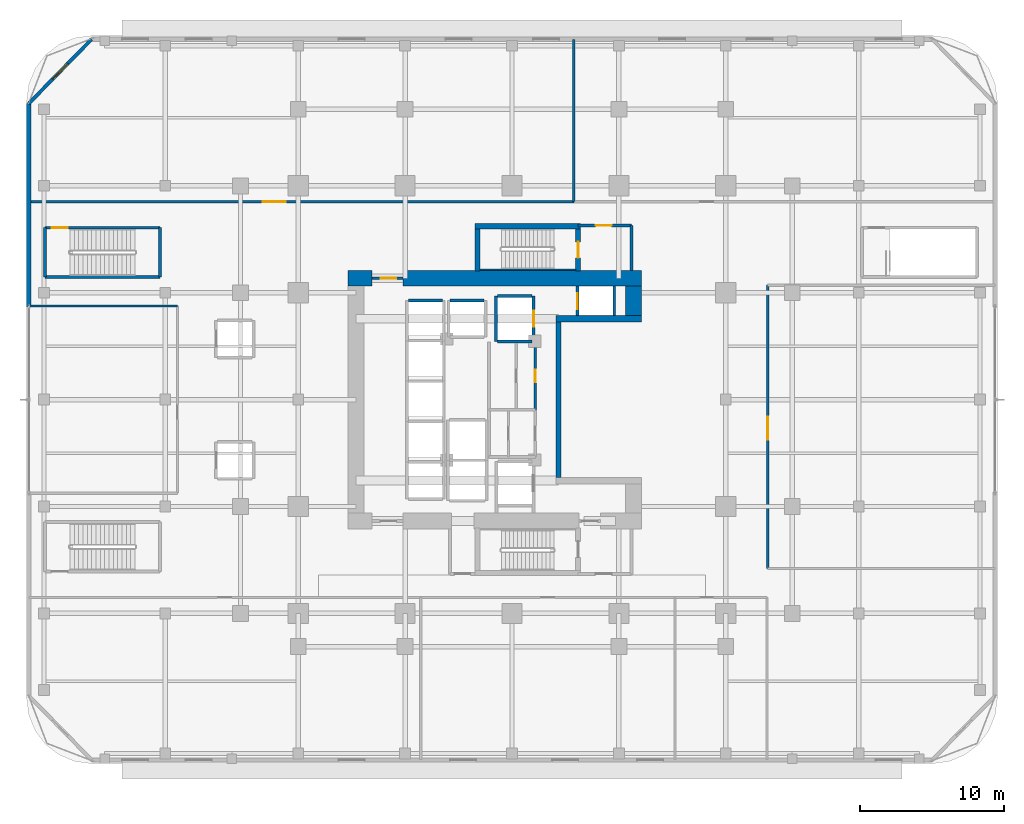
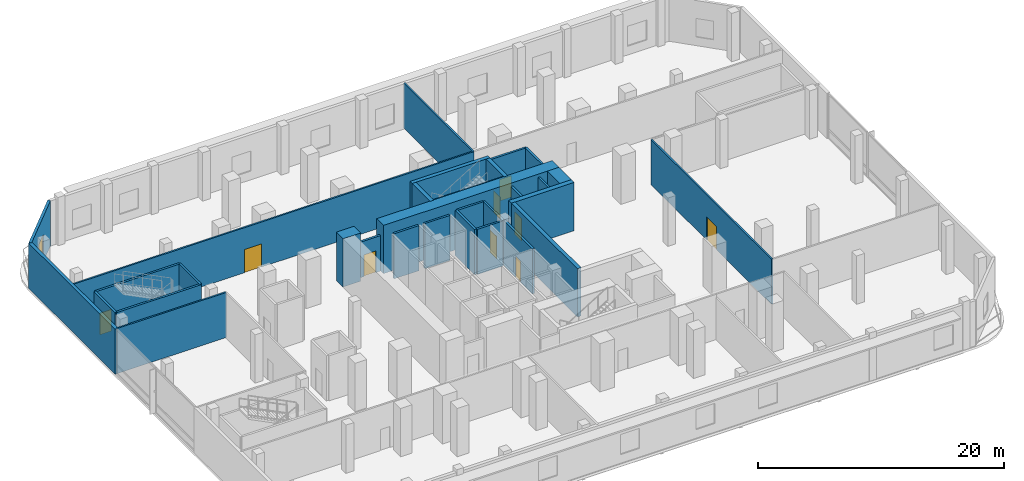
# One storey, part 10 of 19: 31 walls, 9 doors, 1 window, 10 openings.
"""IFC4 building model written with IfcOpenShell, lengths in metres."""

from ifc_helpers import new_model, si_unit, direction, frame, frame_2d, origin, place, context, subcontext, project, spatial, rectangle, extrude, material, layer, layer_set, type_object, element, fill, save


model = new_model("IFC4")

# Units and contexts
model_context = context("Model", 3, precision=1e-05, world=origin(), true_north=direction((0.0, 1.0)))
body_context = subcontext(model_context, "Body", "Model", "MODEL_VIEW")
ifc_project = project(units=[si_unit("LENGTHUNIT", "METRE"), si_unit("AREAUNIT", "SQUARE_METRE"), si_unit("VOLUMEUNIT", "CUBIC_METRE"), si_unit("PLANEANGLEUNIT", "RADIAN"), si_unit("MASSUNIT", "GRAM", prefix="KILO")], contexts=[model_context])

# Site, building, storey
site_placement = place(None, origin())
site = spatial("IfcSite", under=ifc_project, at=site_placement, CompositionType="ELEMENT")
building_placement = place(site_placement, origin())
building = spatial("IfcBuilding", under=site, at=building_placement, Name="Khorvyn Point Tower", CompositionType="ELEMENT")
storey_placement = place(building_placement, frame((0.0, 0.0, 21.60009765625)))
storey = spatial("IfcBuildingStorey", under=building, at=storey_placement, Name="L06", CompositionType="ELEMENT", Elevation=21.60009765625)

# Wall, opening, window
ifc_material_1 = material(Name="Pale anodised aluminium rainscreen on steel stud", Category="steel")
ifc_layer_1 = layer(ifc_material_1, 0.239990234375)
ifc_layer_set_1 = layer_set([ifc_layer_1], Name="Anodised Aluminium Insulated Corner Spandrel Wall 240")
wall_type_1 = type_object("IfcWallType", Name="Anodised Aluminium Insulated Corner Spandrel Wall 240", PredefinedType="SOLIDWALL", material=ifc_layer_set_1)
wall_1_placement = place(storey_placement, frame((-33.449951171875, 20.5, 0.0), z_axis=(0.0, 0.0, 1.0), x_axis=(0.69901822973, 0.715103848756, 0.0)))
wall_1 = element("IfcWall", 1, at=wall_1_placement, inside=storey, type_object=wall_type_1, Name="L06 Rounded Corner Wall NW", PredefinedType="SOLIDWALL", context=body_context, shape_type="SweptSolid", body=[
    extrude(rectangle(XDim=6.222900390625, YDim=0.239990234375, at=frame_2d((3.111328125, 0.0))), origin(), (0.0, 0.0, 1.0), 4.47998046875),
])
opening_1_placement = place(wall_1_placement, frame((2.361572265625, 0.0, 0.85009765625)))
opening_1 = element("IfcOpeningElement", 2, at=opening_1_placement, cuts=wall_1, Name="Opening WN-1518", PredefinedType="OPENING", context=body_context, shape_type="SweptSolid", body=[
    extrude(rectangle(XDim=1.5, YDim=1.85009765625, at=frame_2d((0.75, 0.925048828125))), frame((0.0, 0.1298828125, 0.0), z_axis=(0.0, -1.0, 0.0), x_axis=(1.0, 0.0, 0.0)), (0.0, 0.0, 1.0), 0.260009765625),
])
ifc_material_2 = material(Name="Anodised aluminium 6063-T6 and laminated Low-E glass", Category="aluminium")
window_type = type_object("IfcWindowType", Name="Anodised Aluminium Rounded-Corner Panoramic Window 1500x1850", PartitioningType="SINGLE_PANEL", PredefinedType="WINDOW", material=ifc_material_2)
window_placement = place(opening_1_placement, origin())
window = element("IfcWindow", 3, at=window_placement, inside=storey, type_object=window_type, Name="L06 Corner Window NW", OverallHeight=1.85009765625, OverallWidth=1.5, PartitioningType="SINGLE_PANEL", PredefinedType="WINDOW", context=body_context, shape_type="SweptSolid", body=[
    extrude(rectangle(XDim=1.5, YDim=1.85009765625, at=frame_2d((0.75, 0.925048828125))), frame((0.0, 0.030029296875, 0.0), z_axis=(0.0, -1.0, 0.0), x_axis=(1.0, 0.0, 0.0)), (0.0, 0.0, 1.0), 0.06005859375),
])
fill(opening_1, window)

# Wall
ifc_material_3 = material(Name="Concrete C40/50", Category="concrete")
ifc_layer_2 = layer(ifc_material_3, 0.449951171875)
ifc_layer_set_2 = layer_set([ifc_layer_2], Name="Concrete C40/50 Core Shear Wall 450")
wall_type_2 = type_object("IfcWallType", Name="Concrete C40/50 Core Shear Wall 450", PredefinedType="SHEAR", material=ifc_layer_set_2)
wall_2_placement = place(storey_placement, frame((3.044921875, 5.60009765625, 0.0), z_axis=(0.0, 0.0, 1.0), x_axis=(1.0, 0.0, 0.0)))
element("IfcWall", 4, at=wall_2_placement, inside=storey, type_object=wall_type_2, Name="Wall", PredefinedType="SHEAR", context=body_context, shape_type="SweptSolid", body=[
    extrude(rectangle(XDim=5.905029296875, YDim=0.449951171875, at=frame_2d((2.95263671875, 0.0))), origin(), (0.0, 0.0, 1.0), 4.7998046875),
])

# Wall, opening, door
ifc_layer_3 = layer(ifc_material_3, 0.199951171875)
ifc_layer_set_3 = layer_set([ifc_layer_3], Name="Concrete C40/50 Fire-Lobby Compartment Wall 200")
wall_type_3 = type_object("IfcWallType", Name="Concrete C40/50 Fire-Lobby Compartment Wall 200", PredefinedType="SOLIDWALL", material=ifc_layer_set_3)
wall_3_placement = place(storey_placement, frame((4.580078125, 12.06005859375, 0.0), z_axis=(0.0, 0.0, 1.0), x_axis=(1.0, 0.0, 0.0)))
wall_3 = element("IfcWall", 5, at=wall_3_placement, inside=storey, type_object=wall_type_3, Name="Wall", PredefinedType="SOLIDWALL", context=body_context, shape_type="SweptSolid", body=[
    extrude(rectangle(XDim=3.699951171875, YDim=0.199951171875, at=frame_2d((1.85009765625, 0.0))), origin(), (0.0, 0.0, 1.0), 4.47998046875),
])
opening_2_placement = place(wall_3_placement, frame((1.21240234375, 0.0, 0.0)))
opening_2 = element("IfcOpeningElement", 6, at=opening_2_placement, cuts=wall_3, Name="Opening ID-FL90", PredefinedType="OPENING", context=body_context, shape_type="SweptSolid", body=[
    extrude(rectangle(XDim=1.10009765625, YDim=2.14990234375, at=frame_2d((0.550048828125, 1.074951171875))), frame((0.0, 0.10986328125, 0.0), z_axis=(0.0, -1.0, 0.0), x_axis=(1.0, 0.0, 0.0)), (0.0, 0.0, 1.0), 0.219970703125),
])
ifc_material_4 = material(Name="Galvanised powder-coated steel", Category="steel")
door_type_1 = type_object("IfcDoorType", Name="Fire-Rated Steel Lobby and Stair Door 1100x2150", OperationType="NOTDEFINED", PredefinedType="DOOR", material=ifc_material_4)
door_1_placement = place(opening_2_placement, origin())
door_1 = element("IfcDoor", 7, at=door_1_placement, inside=storey, type_object=door_type_1, Name="Door", OperationType="SINGLE_SWING_RIGHT", OverallHeight=2.14990234375, OverallWidth=1.10009765625, PredefinedType="DOOR", context=body_context, shape_type="SweptSolid", body=[
    extrude(rectangle(XDim=1.10009765625, YDim=2.14990234375, at=frame_2d((0.550048828125, 1.074951171875))), frame((0.0, 0.02490234375, 0.0), z_axis=(0.0, -1.0, 0.0), x_axis=(1.0, 0.0, 0.0)), (0.0, 0.0, 1.0), 0.050048828125),
])
fill(opening_2, door_1)

wall_4_placement = place(storey_placement, frame((-9.699951171875, 8.39990234375, 0.0), z_axis=(0.0, 0.0, 1.0), x_axis=(1.0, 0.0, 0.0)))
wall_4 = element("IfcWall", 8, at=wall_4_placement, inside=storey, type_object=wall_type_3, Name="Wall", PredefinedType="SOLIDWALL", context=body_context, shape_type="SweptSolid", body=[
    extrude(rectangle(XDim=2.14990234375, YDim=0.199951171875, at=frame_2d((1.074951171875, 0.0))), origin(), (0.0, 0.0, 1.0), 3.52001953125),
])
opening_3_placement = place(wall_4_placement, frame((0.597900390625, 0.0, 0.0)))
opening_3 = element("IfcOpeningElement", 9, at=opening_3_placement, cuts=wall_4, Name="Opening ID-FL90", PredefinedType="OPENING", context=body_context, shape_type="SweptSolid", body=[
    extrude(rectangle(XDim=1.10009765625, YDim=2.14990234375, at=frame_2d((0.550048828125, 1.074951171875))), frame((0.0, 0.10986328125, 0.0), z_axis=(0.0, -1.0, 0.0), x_axis=(1.0, 0.0, 0.0)), (0.0, 0.0, 1.0), 0.219970703125),
])
door_2_placement = place(opening_3_placement, origin())
door_2 = element("IfcDoor", 10, at=door_2_placement, inside=storey, type_object=door_type_1, Name="Door", OperationType="SINGLE_SWING_RIGHT", OverallHeight=2.14990234375, OverallWidth=1.10009765625, PredefinedType="DOOR", context=body_context, shape_type="SweptSolid", body=[
    extrude(rectangle(XDim=1.10009765625, YDim=2.14990234375, at=frame_2d((0.550048828125, 1.074951171875))), frame((0.0, 0.02490234375, 0.0), z_axis=(0.0, -1.0, 0.0), x_axis=(1.0, 0.0, 0.0)), (0.0, 0.0, 1.0), 0.050048828125),
])
fill(opening_3, door_2)

wall_5_placement = place(storey_placement, frame((1.610107421875, -0.7060546875, 0.0), z_axis=(0.0, 0.0, 1.0), x_axis=(0.0, 1.0, 0.0)))
wall_5 = element("IfcWall", 11, at=wall_5_placement, inside=storey, type_object=wall_type_3, Name="Wall", PredefinedType="SOLIDWALL", context=body_context, shape_type="SweptSolid", body=[
    extrude(rectangle(XDim=4.68603515625, YDim=0.199951171875, at=frame_2d((2.343017578125, 0.0))), origin(), (0.0, 0.0, 1.0), 4.47998046875),
])
opening_4_placement = place(wall_5_placement, frame((1.91796875, 0.0, 0.0)))
opening_4 = element("IfcOpeningElement", 12, at=opening_4_placement, cuts=wall_5, Name="Opening ID-WC85", PredefinedType="OPENING", context=body_context, shape_type="SweptSolid", body=[
    extrude(rectangle(XDim=0.85009765625, YDim=2.10009765625, at=frame_2d((0.425048828125, 1.050048828125))), frame((0.0, 0.10986328125, 0.0), z_axis=(0.0, -1.0, 0.0), x_axis=(1.0, 0.0, 0.0)), (0.0, 0.0, 1.0), 0.219970703125),
])
ifc_material_5 = material(Name="High-pressure laminate on moisture-resistant core", Category="wood")
door_type_2 = type_object("IfcDoorType", Name="Moisture-Resistant Accessible Washroom Door 850x2100", OperationType="NOTDEFINED", PredefinedType="DOOR", material=ifc_material_5)
door_3_placement = place(opening_4_placement, origin())
door_3 = element("IfcDoor", 13, at=door_3_placement, inside=storey, type_object=door_type_2, Name="Door", OperationType="SINGLE_SWING_LEFT", OverallHeight=2.10009765625, OverallWidth=0.85009765625, PredefinedType="DOOR", context=body_context, shape_type="SweptSolid", body=[
    extrude(rectangle(XDim=0.85009765625, YDim=2.10009765625, at=frame_2d((0.425048828125, 1.050048828125))), frame((0.0, 0.02490234375, 0.0), z_axis=(0.0, -1.0, 0.0), x_axis=(1.0, 0.0, 0.0)), (0.0, 0.0, 1.0), 0.050048828125),
])
fill(opening_4, door_3)

# Walls
wall_6_placement = place(storey_placement, frame((8.280029296875, 8.949951171875, 0.0), z_axis=(0.0, 0.0, 1.0), x_axis=(0.0, 1.0, 0.0)))
element("IfcWall", 14, at=wall_6_placement, inside=storey, type_object=wall_type_3, Name="Wall", PredefinedType="SOLIDWALL", context=body_context, shape_type="SweptSolid", body=[
    extrude(rectangle(XDim=3.110107421875, YDim=0.199951171875, at=frame_2d((1.55517578125, 0.0))), origin(), (0.0, 0.0, 1.0), 4.47998046875),
])
ifc_layer_4 = layer(ifc_material_3, 0.25)
ifc_layer_set_4 = layer_set([ifc_layer_4], Name="Concrete C40/50 Stair Inner Cheek Structural Wall 250")
wall_type_4 = type_object("IfcWallType", Name="Concrete C40/50 Stair Inner Cheek Structural Wall 250", PredefinedType="SHEAR", material=ifc_layer_set_4)
wall_7_placement = place(storey_placement, frame((-2.199951171875, 8.987548828125, 0.0), z_axis=(0.0, 0.0, 1.0), x_axis=(1.0, 0.0, 0.0)))
element("IfcWall", 15, at=wall_7_placement, inside=storey, type_object=wall_type_4, Name="Wall", PredefinedType="SHEAR", context=body_context, shape_type="SweptSolid", body=[
    extrude(rectangle(XDim=6.599853515625, YDim=0.074951171875, at=frame_2d((3.2998046875, 0.0))), origin(), (0.0, 0.0, 1.0), 4.7998046875),
])
ifc_layer_5 = layer(ifc_material_3, 0.35009765625)
ifc_layer_set_5 = layer_set([ifc_layer_5], Name="Concrete C40/50 Stair Shaft Structural Wall 350")
wall_type_5 = type_object("IfcWallType", Name="Concrete C40/50 Stair Shaft Structural Wall 350", PredefinedType="SHEAR", material=ifc_layer_set_5)
wall_8_placement = place(storey_placement, frame((3.219970703125, -5.375, 0.0), z_axis=(0.0, 0.0, 1.0), x_axis=(0.0, 1.0, 0.0)))
element("IfcWall", 16, at=wall_8_placement, inside=storey, type_object=wall_type_5, Name="Wall", PredefinedType="SHEAR", context=body_context, shape_type="SweptSolid", body=[
    extrude(rectangle(XDim=10.75, YDim=0.35009765625, at=frame_2d((5.375, 0.0))), origin(), (0.0, 0.0, 1.0), 4.7998046875),
])
wall_9_placement = place(storey_placement, frame((-2.554931640625, 12.0, 0.0), z_axis=(0.0, 0.0, 1.0), x_axis=(1.0, 0.0, 0.0)))
element("IfcWall", 17, at=wall_9_placement, inside=storey, type_object=wall_type_5, Name="L06 ST-02 North Shaft Wall", PredefinedType="SHEAR", context=body_context, shape_type="SweptSolid", body=[
    extrude(rectangle(XDim=7.309814453125, YDim=0.35009765625, at=frame_2d((3.65478515625, 0.0))), origin(), (0.0, 0.0, 1.0), 4.7998046875),
])
wall_10_placement = place(storey_placement, frame((-2.3798828125, 8.89990234375, 0.0), z_axis=(0.0, 0.0, 1.0), x_axis=(0.0, 1.0, 0.0)))
element("IfcWall", 18, at=wall_10_placement, inside=storey, type_object=wall_type_5, Name="L06 ST-02 West Shaft Wall", PredefinedType="SHEAR", context=body_context, shape_type="SweptSolid", body=[
    extrude(rectangle(XDim=2.925048828125, YDim=0.35009765625, at=frame_2d((1.46240234375, 0.0))), origin(), (0.0, 0.0, 1.0), 4.7998046875),
])

# Wall, opening, door
wall_11_placement = place(storey_placement, frame((4.580078125, 11.824951171875, 0.0), z_axis=(0.0, 0.0, 1.0), x_axis=(0.0, -1.0, 0.0)))
wall_11 = element("IfcWall", 19, at=wall_11_placement, inside=storey, type_object=wall_type_5, Name="L06 ST-02 East Landing Door Wall", PredefinedType="SHEAR", context=body_context, shape_type="SweptSolid", body=[
    extrude(rectangle(XDim=2.925048828125, YDim=0.35009765625, at=frame_2d((1.46240234375, 0.0))), origin(), (0.0, 0.0, 1.0), 4.7998046875),
])
opening_5_placement = place(wall_11_placement, frame((0.91259765625, 0.0, 0.0)))
opening_5 = element("IfcOpeningElement", 20, at=opening_5_placement, cuts=wall_11, Name="Opening ID-FL90", PredefinedType="OPENING", context=body_context, shape_type="SweptSolid", body=[
    extrude(rectangle(XDim=1.10009765625, YDim=2.14990234375, at=frame_2d((0.550048828125, 1.074951171875))), frame((0.0, 0.18505859375, 0.0), z_axis=(0.0, -1.0, 0.0), x_axis=(1.0, 0.0, 0.0)), (0.0, 0.0, 1.0), 0.3701171875),
])
door_4_placement = place(opening_5_placement, origin())
door_4 = element("IfcDoor", 21, at=door_4_placement, inside=storey, type_object=door_type_1, Name="L06 ST-02 Smokeproof Landing Door", OperationType="SINGLE_SWING_LEFT", OverallHeight=2.14990234375, OverallWidth=1.10009765625, PredefinedType="DOOR", context=body_context, shape_type="SweptSolid", body=[
    extrude(rectangle(XDim=1.10009765625, YDim=2.14990234375, at=frame_2d((0.550048828125, 1.074951171875))), frame((0.0, 0.02490234375, 0.0), z_axis=(0.0, -1.0, 0.0), x_axis=(1.0, 0.0, 0.0)), (0.0, 0.0, 1.0), 0.050048828125),
])
fill(opening_5, door_4)

# Walls
ifc_layer_6 = layer(ifc_material_3, 0.199951171875)
ifc_layer_set_6 = layer_set([ifc_layer_6], Name="Concrete C40/50 Structural Hoistway and Stair Shaft Wall 200")
wall_type_6 = type_object("IfcWallType", Name="Concrete C40/50 Structural Hoistway and Stair Shaft Wall 200", PredefinedType="SHEAR", material=ifc_layer_set_6)
wall_12_placement = place(storey_placement, frame((-7.175048828125, 6.875, 0.0), z_axis=(0.0, 0.0, 1.0), x_axis=(1.0, 0.0, 0.0)))
element("IfcWall", 22, at=wall_12_placement, inside=storey, type_object=wall_type_6, Name="Wall", PredefinedType="SHEAR", context=body_context, shape_type="SweptSolid", body=[
    extrude(rectangle(XDim=2.35009765625, YDim=0.199951171875, at=frame_2d((1.175048828125, 0.0))), origin(), (0.0, 0.0, 1.0), 4.47998046875),
])
wall_13_placement = place(storey_placement, frame((-4.27490234375, 6.875, 0.0), z_axis=(0.0, 0.0, 1.0), x_axis=(1.0, 0.0, 0.0)))
element("IfcWall", 23, at=wall_13_placement, inside=storey, type_object=wall_type_6, Name="Wall", PredefinedType="SHEAR", context=body_context, shape_type="SweptSolid", body=[
    extrude(rectangle(XDim=2.349853515625, YDim=0.199951171875, at=frame_2d((1.1748046875, 0.0))), origin(), (0.0, 0.0, 1.0), 4.47998046875),
])
wall_14_placement = place(storey_placement, frame((-1.10009765625, 4.02490234375, 0.0), z_axis=(0.0, 0.0, 1.0), x_axis=(0.0, 1.0, 0.0)))
element("IfcWall", 24, at=wall_14_placement, inside=storey, type_object=wall_type_6, Name="Wall", PredefinedType="SHEAR", context=body_context, shape_type="SweptSolid", body=[
    extrude(rectangle(XDim=3.150146484375, YDim=0.199951171875, at=frame_2d((1.5751953125, 0.0))), origin(), (0.0, 0.0, 1.0), 4.47998046875),
])

# Wall, opening, door
wall_15_placement = place(storey_placement, frame((1.5, 4.02490234375, 0.0), z_axis=(0.0, 0.0, 1.0), x_axis=(0.0, 1.0, 0.0)))
wall_15 = element("IfcWall", 25, at=wall_15_placement, inside=storey, type_object=wall_type_6, Name="Wall", PredefinedType="SHEAR", context=body_context, shape_type="SweptSolid", body=[
    extrude(rectangle(XDim=3.150146484375, YDim=0.199951171875, at=frame_2d((1.5751953125, 0.0))), origin(), (0.0, 0.0, 1.0), 4.47998046875),
])
opening_6_placement = place(wall_15_placement, frame((1.02490234375, 0.0, 0.0)))
opening_6 = element("IfcOpeningElement", 26, at=opening_6_placement, cuts=wall_15, Name="Opening LD-1122", PredefinedType="OPENING", context=body_context, shape_type="SweptSolid", body=[
    extrude(rectangle(XDim=1.10009765625, YDim=2.199951171875, at=frame_2d((0.550048828125, 1.10009765625))), frame((0.0, 0.10986328125, 0.0), z_axis=(0.0, -1.0, 0.0), x_axis=(1.0, 0.0, 0.0)), (0.0, 0.0, 1.0), 0.219970703125),
])
ifc_material_6 = material(Name="Stainless steel 1.4301", Category="steel")
door_type_3 = type_object("IfcDoorType", Name="Stainless Steel Automatic Sliding Lift Landing Door 1100x2200", OperationType="SLIDING_TO_LEFT", PredefinedType="DOOR", material=ifc_material_6)
door_5_placement = place(opening_6_placement, origin())
door_5 = element("IfcDoor", 27, at=door_5_placement, inside=storey, type_object=door_type_3, Name="L06 SV-01 Sliding Lift Landing Door", OperationType="SLIDING_TO_LEFT", OverallHeight=2.199951171875, OverallWidth=1.10009765625, PredefinedType="DOOR", context=body_context, shape_type="SweptSolid", body=[
    extrude(rectangle(XDim=1.10009765625, YDim=2.199951171875, at=frame_2d((0.550048828125, 1.10009765625))), frame((0.0, 0.02490234375, 0.0), z_axis=(0.0, -1.0, 0.0), x_axis=(1.0, 0.0, 0.0)), (0.0, 0.0, 1.0), 0.050048828125),
])
fill(opening_6, door_5)

# Walls
for number, where, z_axis, x_axis, name in (
    (28, (-1.0, 4.02490234375, 0.0), (0.0, 0.0, 1.0), (1.0, 0.0, 0.0), "Wall"),
    (29, (-1.0, 7.175048828125, 0.0), (0.0, 0.0, 1.0), (1.0, 0.0, 0.0), "Wall"),
):
    element("IfcWall", number, at=place(storey_placement, frame(where, z_axis=z_axis, x_axis=x_axis)), inside=storey, type_object=wall_type_6, Name=name, PredefinedType="SHEAR", context=body_context, shape_type="SweptSolid", body=[
        extrude(rectangle(XDim=2.39990234375, YDim=0.199951171875, at=frame_2d((1.199951171875, 0.0))), origin(), (0.0, 0.0, 1.0), 4.47998046875),
    ])

# Wall, opening, door
wall_16_placement = place(storey_placement, frame((4.52490234375, 5.824951171875, 0.0), z_axis=(0.0, 0.0, 1.0), x_axis=(0.0, 1.0, 0.0)))
wall_16 = element("IfcWall", 30, at=wall_16_placement, inside=storey, type_object=wall_type_6, Name="Wall", PredefinedType="SHEAR", context=body_context, shape_type="SweptSolid", body=[
    extrude(rectangle(XDim=2.025146484375, YDim=0.199951171875, at=frame_2d((1.0126953125, 0.0))), origin(), (0.0, 0.0, 1.0), 4.47998046875),
])
opening_7_placement = place(wall_16_placement, frame((0.425048828125, 0.0, 0.0)))
opening_7 = element("IfcOpeningElement", 31, at=opening_7_placement, cuts=wall_16, Name="Opening LD-1122", PredefinedType="OPENING", context=body_context, shape_type="SweptSolid", body=[
    extrude(rectangle(XDim=1.10009765625, YDim=2.199951171875, at=frame_2d((0.550048828125, 1.10009765625))), frame((0.0, 0.10986328125, 0.0), z_axis=(0.0, -1.0, 0.0), x_axis=(1.0, 0.0, 0.0)), (0.0, 0.0, 1.0), 0.219970703125),
])
door_6_placement = place(opening_7_placement, origin())
door_6 = element("IfcDoor", 32, at=door_6_placement, inside=storey, type_object=door_type_3, Name="L06 FF-02 Sliding Lift Landing Door", OperationType="SLIDING_TO_LEFT", OverallHeight=2.199951171875, OverallWidth=1.10009765625, PredefinedType="DOOR", context=body_context, shape_type="SweptSolid", body=[
    extrude(rectangle(XDim=1.10009765625, YDim=2.199951171875, at=frame_2d((0.550048828125, 1.10009765625))), frame((0.0, 0.02490234375, 0.0), z_axis=(0.0, -1.0, 0.0), x_axis=(1.0, 0.0, 0.0)), (0.0, 0.0, 1.0), 0.050048828125),
])
fill(opening_7, door_6)

# Walls
wall_17_placement = place(storey_placement, frame((7.074951171875, 5.824951171875, 0.0), z_axis=(0.0, 0.0, 1.0), x_axis=(0.0, 1.0, 0.0)))
element("IfcWall", 33, at=wall_17_placement, inside=storey, type_object=wall_type_6, Name="Wall", PredefinedType="SHEAR", context=body_context, shape_type="SweptSolid", body=[
    extrude(rectangle(XDim=2.025146484375, YDim=0.199951171875, at=frame_2d((1.0126953125, 0.0))), origin(), (0.0, 0.0, 1.0), 4.47998046875),
])
for number, where, z_axis, x_axis, name in (
    (34, (-32.330078125, 8.47998046875, 0.0), (0.0, 0.0, 1.0), (0.0, 1.0, 0.0), "Wall"),
    (35, (-24.3701171875, 11.89990234375, 0.0), (0.0, 0.0, 1.0), (0.0, -1.0, 0.0), "Wall"),
):
    element("IfcWall", number, at=place(storey_placement, frame(where, z_axis=z_axis, x_axis=x_axis)), inside=storey, type_object=wall_type_6, Name=name, PredefinedType="SHEAR", context=body_context, shape_type="SweptSolid", body=[
        extrude(rectangle(XDim=3.419921875, YDim=0.199951171875, at=frame_2d((1.7099609375, 0.0))), origin(), (0.0, 0.0, 1.0), 4.47998046875),
    ])
wall_18_placement = place(storey_placement, frame((-24.3701171875, 8.47998046875, 0.0), z_axis=(0.0, 0.0, 1.0), x_axis=(-1.0, 0.0, 0.0)))
element("IfcWall", 36, at=wall_18_placement, inside=storey, type_object=wall_type_6, Name="Wall", PredefinedType="SHEAR", context=body_context, shape_type="SweptSolid", body=[
    extrude(rectangle(XDim=7.9599609375, YDim=0.199951171875, at=frame_2d((3.97998046875, 0.0))), origin(), (0.0, 0.0, 1.0), 4.47998046875),
])

# Wall, opening, door
wall_19_placement = place(storey_placement, frame((-32.330078125, 11.89990234375, 0.0), z_axis=(0.0, 0.0, 1.0), x_axis=(1.0, 0.0, 0.0)))
wall_19 = element("IfcWall", 37, at=wall_19_placement, inside=storey, type_object=wall_type_6, Name="Wall", PredefinedType="SHEAR", context=body_context, shape_type="SweptSolid", body=[
    extrude(rectangle(XDim=7.9599609375, YDim=0.199951171875, at=frame_2d((3.97998046875, 0.0))), origin(), (0.0, 0.0, 1.0), 4.47998046875),
])
opening_8_placement = place(wall_19_placement, frame((0.4599609375, 0.0, 0.0)))
opening_8 = element("IfcOpeningElement", 38, at=opening_8_placement, cuts=wall_19, Name="Opening ID-FL90", PredefinedType="OPENING", context=body_context, shape_type="SweptSolid", body=[
    extrude(rectangle(XDim=1.10009765625, YDim=2.14990234375, at=frame_2d((0.550048828125, 1.074951171875))), frame((0.0, 0.10986328125, 0.0), z_axis=(0.0, -1.0, 0.0), x_axis=(1.0, 0.0, 0.0)), (0.0, 0.0, 1.0), 0.219970703125),
])
door_7_placement = place(opening_8_placement, origin())
door_7 = element("IfcDoor", 39, at=door_7_placement, inside=storey, type_object=door_type_1, Name="L06 ST-S2 Smokeproof Landing Door", OperationType="SINGLE_SWING_LEFT", OverallHeight=2.14990234375, OverallWidth=1.10009765625, PredefinedType="DOOR", context=body_context, shape_type="SweptSolid", body=[
    extrude(rectangle(XDim=1.10009765625, YDim=2.14990234375, at=frame_2d((0.550048828125, 1.074951171875))), frame((0.0, 0.02490234375, 0.0), z_axis=(0.0, -1.0, 0.0), x_axis=(1.0, 0.0, 0.0)), (0.0, 0.0, 1.0), 0.050048828125),
])
fill(opening_8, door_7)

# Walls
ifc_material_7 = material(Name="Concrete C50/60", Category="concrete")
ifc_layer_7 = layer(ifc_material_7, 1.10009765625)
ifc_layer_set_7 = layer_set([ifc_layer_7], Name="Concrete C50/60 Core Shear Wall 1100")
wall_type_7 = type_object("IfcWallType", Name="Concrete C50/60 Core Shear Wall 1100", PredefinedType="SHEAR", material=ifc_layer_set_7)
wall_20_placement = place(storey_placement, frame((-11.35009765625, 8.39990234375, 0.0), z_axis=(0.0, 0.0, 1.0), x_axis=(1.0, 0.0, 0.0)))
element("IfcWall", 40, at=wall_20_placement, inside=storey, type_object=wall_type_7, Name="Wall", PredefinedType="SHEAR", context=body_context, shape_type="SweptSolid", body=[
    extrude(rectangle(XDim=1.650146484375, YDim=1.10009765625, at=frame_2d((0.8251953125, 0.0))), origin(), (0.0, 0.0, 1.0), 4.7998046875),
])
wall_21_placement = place(storey_placement, frame((-7.550048828125, 8.39990234375, 0.0), z_axis=(0.0, 0.0, 1.0), x_axis=(1.0, 0.0, 0.0)))
element("IfcWall", 41, at=wall_21_placement, inside=storey, type_object=wall_type_7, Name="Wall", PredefinedType="SHEAR", context=body_context, shape_type="SweptSolid", body=[
    extrude(rectangle(XDim=16.5, YDim=1.10009765625, at=frame_2d((8.25, 0.0))), origin(), (0.0, 0.0, 1.0), 4.7998046875),
])
wall_22_placement = place(storey_placement, frame((8.39990234375, 5.824951171875, 0.0), z_axis=(0.0, 0.0, 1.0), x_axis=(0.0, 1.0, 0.0)))
element("IfcWall", 42, at=wall_22_placement, inside=storey, type_object=wall_type_7, Name="Wall", PredefinedType="SHEAR", context=body_context, shape_type="SweptSolid", body=[
    extrude(rectangle(XDim=2.025146484375, YDim=1.10009765625, at=frame_2d((1.0126953125, 0.0))), origin(), (0.0, 0.0, 1.0), 4.7998046875),
])

# Wall, opening, door
ifc_material_8 = material(Name="Moisture-resistant gypsum and cement board", Category="gypsum")
ifc_layer_8 = layer(ifc_material_8, 0.14990234375)
ifc_layer_set_8 = layer_set([ifc_layer_8], Name="Moisture-Resistant Wet-Room Partition Wall 150")
wall_type_8 = type_object("IfcWallType", Name="Moisture-Resistant Wet-Room Partition Wall 150", PredefinedType="PARTITIONING", material=ifc_layer_set_8)
wall_23_placement = place(storey_placement, frame((-33.419921875, 13.699951171875, 0.0), z_axis=(0.0, 0.0, 1.0), x_axis=(1.0, 0.0, 0.0)))
wall_23 = element("IfcWall", 43, at=wall_23_placement, inside=storey, type_object=wall_type_8, Name="Wall", PredefinedType="PARTITIONING", context=body_context, shape_type="SweptSolid", body=[
    extrude(rectangle(XDim=37.699951171875, YDim=0.14990234375, at=frame_2d((18.85009765625, 0.0))), origin(), (0.0, 0.0, 1.0), 4.47998046875),
])
opening_9_placement = place(wall_23_placement, frame((16.162109375, 0.0, 0.0)))
opening_9 = element("IfcOpeningElement", 44, at=opening_9_placement, cuts=wall_23, Name="Opening ID-LB30", PredefinedType="OPENING", context=body_context, shape_type="SweptSolid", body=[
    extrude(rectangle(XDim=1.60009765625, YDim=2.300048828125, at=frame_2d((0.800048828125, 1.14990234375))), frame((0.0, 0.0849609375, 0.0), z_axis=(0.0, -1.0, 0.0), x_axis=(1.0, 0.0, 0.0)), (0.0, 0.0, 1.0), 0.169921875),
])
ifc_material_9 = material(Name="Anodised aluminium 6063-T6 and tempered glass", Category="aluminium")
door_type_4 = type_object("IfcDoorType", Name="Glazed Aluminium Sky-Lobby Double Swing Door 1600x2300", OperationType="DOUBLE_DOOR_SINGLE_SWING", PredefinedType="DOOR", material=ifc_material_9)
door_8_placement = place(opening_9_placement, origin())
door_8 = element("IfcDoor", 45, at=door_8_placement, inside=storey, type_object=door_type_4, Name="Door", OperationType="SINGLE_SWING_LEFT", OverallHeight=2.300048828125, OverallWidth=1.60009765625, PredefinedType="DOOR", context=body_context, shape_type="SweptSolid", body=[
    extrude(rectangle(XDim=1.60009765625, YDim=2.300048828125, at=frame_2d((0.800048828125, 1.14990234375))), frame((0.0, 0.02490234375, 0.0), z_axis=(0.0, -1.0, 0.0), x_axis=(1.0, 0.0, 0.0)), (0.0, 0.0, 1.0), 0.050048828125),
])
fill(opening_9, door_8)

wall_24_placement = place(storey_placement, frame((17.699951171875, -11.699951171875, 0.0), z_axis=(0.0, 0.0, 1.0), x_axis=(0.0, 1.0, 0.0)))
wall_24 = element("IfcWall", 46, at=wall_24_placement, inside=storey, type_object=wall_type_8, Name="Wall", PredefinedType="PARTITIONING", context=body_context, shape_type="SweptSolid", body=[
    extrude(rectangle(XDim=19.619873046875, YDim=0.14990234375, at=frame_2d((9.81005859375, 0.0))), origin(), (0.0, 0.0, 1.0), 4.47998046875),
])
opening_10_placement = place(wall_24_placement, frame((8.920654296875, 0.0, 0.0)))
opening_10 = element("IfcOpeningElement", 47, at=opening_10_placement, cuts=wall_24, Name="Opening ID-LB30", PredefinedType="OPENING", context=body_context, shape_type="SweptSolid", body=[
    extrude(rectangle(XDim=1.60009765625, YDim=2.300048828125, at=frame_2d((0.800048828125, 1.14990234375))), frame((0.0, 0.0849609375, 0.0), z_axis=(0.0, -1.0, 0.0), x_axis=(1.0, 0.0, 0.0)), (0.0, 0.0, 1.0), 0.169921875),
])
door_9_placement = place(opening_10_placement, origin())
door_9 = element("IfcDoor", 48, at=door_9_placement, inside=storey, type_object=door_type_4, Name="Door", OperationType="SINGLE_SWING_LEFT", OverallHeight=2.300048828125, OverallWidth=1.60009765625, PredefinedType="DOOR", context=body_context, shape_type="SweptSolid", body=[
    extrude(rectangle(XDim=1.60009765625, YDim=2.300048828125, at=frame_2d((0.800048828125, 1.14990234375))), frame((0.0, 0.02490234375, 0.0), z_axis=(0.0, -1.0, 0.0), x_axis=(1.0, 0.0, 0.0)), (0.0, 0.0, 1.0), 0.050048828125),
])
fill(opening_10, door_9)

# Walls
wall_25_placement = place(storey_placement, frame((4.280029296875, 13.699951171875, 0.0), z_axis=(0.0, 0.0, 1.0), x_axis=(0.0, 1.0, 0.0)))
element("IfcWall", 49, at=wall_25_placement, inside=storey, type_object=wall_type_8, Name="Wall", PredefinedType="PARTITIONING", context=body_context, shape_type="SweptSolid", body=[
    extrude(rectangle(XDim=11.219970703125, YDim=0.14990234375, at=frame_2d((5.60986328125, 0.0))), origin(), (0.0, 0.0, 1.0), 4.47998046875),
])
wall_26_placement = place(storey_placement, frame((-33.419921875, 6.47998046875, 0.0), z_axis=(0.0, 0.0, 1.0), x_axis=(1.0, 0.0, 0.0)))
element("IfcWall", 50, at=wall_26_placement, inside=storey, type_object=wall_type_8, Name="Wall", PredefinedType="PARTITIONING", context=body_context, shape_type="SweptSolid", body=[
    extrude(rectangle(XDim=10.260009765625, YDim=0.14990234375, at=frame_2d((5.1298828125, 0.0))), origin(), (0.0, 0.0, 1.0), 4.47998046875),
])
ifc_material_10 = material(Name="Precast concrete C35/45", Category="concrete")
ifc_layer_9 = layer(ifc_material_10, 0.300048828125)
ifc_layer_set_9 = layer_set([ifc_layer_9], Name="Precast Concrete C35/45 Insulated Podium Facade Wall 300")
wall_type_9 = type_object("IfcWallType", Name="Precast Concrete C35/45 Insulated Podium Facade Wall 300", PredefinedType="SOLIDWALL", material=ifc_layer_set_9)
wall_27_placement = place(storey_placement, frame((-33.449951171875, 6.409912109375, 0.0), z_axis=(0.0, 0.0, 1.0), x_axis=(0.0, 1.0, 0.0)))
element("IfcWall", 51, at=wall_27_placement, inside=storey, type_object=wall_type_9, Name="Wall", PredefinedType="SOLIDWALL", context=body_context, shape_type="SweptSolid", body=[
    extrude(rectangle(XDim=14.090087890625, YDim=0.300048828125, at=frame_2d((7.044921875, 0.0))), origin(), (0.0, 0.0, 1.0), 4.47998046875),
])

save(model, "model.ifc")
